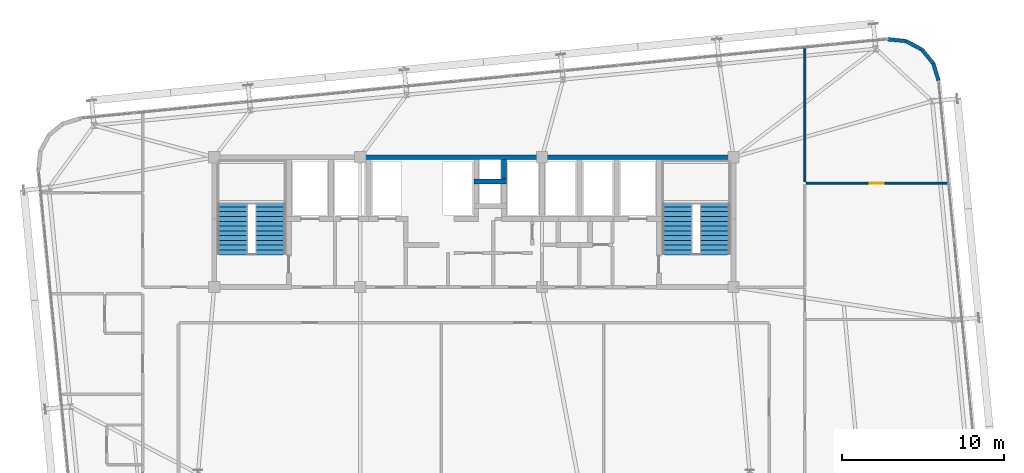
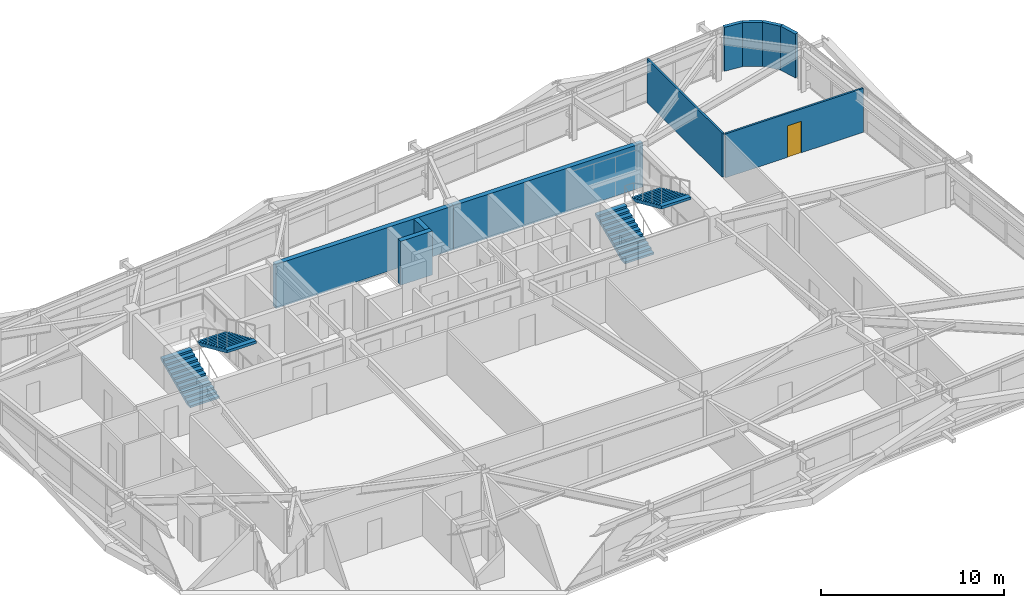
# One storey, part 50 of 53: 10 walls, 4 stair flights, 1 door, 1 opening, 2 elements without a shape of their own.
"""IFC4 building model written with IfcOpenShell, lengths in metres."""

from ifc_helpers import new_model, si_unit, direction, frame, frame_2d, origin, place, context, subcontext, project, spatial, polyline, rectangle, outline, extrude, source, transform, mapped, material, layer, layer_set, type_object, element, fill, aggregate, save


model = new_model("IFC4")

# Units and contexts
model_context = context("Model", 3, precision=1e-05, world=origin(), true_north=direction((0.0, 1.0)))
body_context = subcontext(model_context, "Body", "Model", "MODEL_VIEW")
ifc_project = project(units=[si_unit("LENGTHUNIT", "METRE"), si_unit("AREAUNIT", "SQUARE_METRE"), si_unit("VOLUMEUNIT", "CUBIC_METRE"), si_unit("PLANEANGLEUNIT", "RADIAN"), si_unit("MASSUNIT", "GRAM", prefix="KILO")], contexts=[model_context])

# Site, building, storey
site_placement = place(None, origin())
site = spatial("IfcSite", under=ifc_project, at=site_placement, CompositionType="ELEMENT")
building_placement = place(site_placement, origin())
building = spatial("IfcBuilding", under=site, at=building_placement, Name="Taldren Reach Tower", CompositionType="ELEMENT")
storey_placement = place(building_placement, frame((0.0, 0.0, 84.0)))
storey = spatial("IfcBuildingStorey", under=building, at=storey_placement, Name="L25", CompositionType="ELEMENT", Elevation=84.0)

# Walls
ifc_material_1 = material(Name="Pale Champagne Anodised Aluminium Cladding", Category="aluminium")
ifc_layer_1 = layer(ifc_material_1, 0.04, Name="Pale Champagne Anodised Aluminium Cladding", Category="aluminium")
ifc_material_2 = material(Name="Mineral Wool Acoustic Insulation", Category="insulation")
ifc_layer_2 = layer(ifc_material_2, 0.06, Name="Mineral Wool Acoustic Insulation", Category="insulation")
ifc_material_3 = material(Name="Steel Gr 350 (C350L0)", Category="steel")
ifc_layer_3 = layer(ifc_material_3, 0.12, Name="Steel Gr 350 (C350L0)", Category="steel")
ifc_layer_set_1 = layer_set([ifc_layer_1, ifc_layer_2, ifc_layer_3], Name="Pale Champagne Aluminium Cladding and Steel Gr 350 Stud Framing")
wall_type_1 = type_object("IfcWallType", Name="EW-CRN-220", PredefinedType="SOLIDWALL", material=ifc_layer_set_1)
shared_shape_1 = source(origin(), body_context, "Body", "SweptSolid", [
    extrude(rectangle(XDim=1.115966796875, YDim=0.219970703125, at=frame_2d((0.55810546875, 0.0))), origin(), (0.0, 0.0, 1.0), 2.929931640625),
])
for number, where, z_axis, x_axis, name in (
    (1, (63.6376953125, 36.6982421875, 0.0), (0.0, 0.0, 1.0), (-0.289855603468, 0.957070388811, 0.0), "Rounded-corner pale-metal facade wall L25-NE1"),
    (2, (62.606689453125, 38.629150390625, 0.0), (0.0, 0.0, 1.0), (-0.881655534635, 0.471893545461, 0.0), "Rounded-corner pale-metal facade wall L25-NE3"),
    (3, (61.622802734375, 39.15576171875, 0.0), (0.0, 0.0, 1.0), (-0.995142755671, 0.09844234778, 0.0), "Rounded-corner pale-metal facade wall L25-NE4"),
):
    element("IfcWall", number, at=place(storey_placement, frame(where, z_axis=z_axis, x_axis=x_axis)), inside=storey, type_object=wall_type_1, Name=name, PredefinedType="SOLIDWALL", context=body_context, shape_type="MappedRepresentation", body=[
        mapped(shared_shape_1, transform((0.0, 0.0, 0.0), scale=1.0)),
    ])
shared_shape_2 = source(origin(), body_context, "Body", "SweptSolid", [
    extrude(rectangle(XDim=1.11572265625, YDim=0.219970703125, at=frame_2d((0.557861328125, 0.0))), origin(), (0.0, 0.0, 1.0), 2.929931640625),
])
wall_1_placement = place(storey_placement, frame((63.314208984375, 37.766357421875, 0.0), z_axis=(0.0, 0.0, 1.0), x_axis=(-0.634095287989, 0.773254916409, 0.0)))
element("IfcWall", 4, at=wall_1_placement, inside=storey, type_object=wall_type_1, Name="Rounded-corner pale-metal facade wall L25-NE2", PredefinedType="SOLIDWALL", context=body_context, shape_type="MappedRepresentation", body=[
    mapped(shared_shape_2, transform((0.0, 0.0, 0.0), scale=1.0)),
])
ifc_material_4 = material(Name="Concrete S65 (65 MPa)", Category="concrete")
ifc_layer_4 = layer(ifc_material_4, 0.300048828125)
ifc_layer_set_2 = layer_set([ifc_layer_4], Name="Concrete S65 (65 MPa)")
wall_type_2 = type_object("IfcWallType", Name="IW-CORE-300", PredefinedType="SHEAR", material=ifc_layer_set_2)
shared_shape_3 = source(origin(), body_context, "Body", "SweptSolid", [
    extrude(rectangle(XDim=11.199951171875, YDim=0.300048828125, at=frame_2d((5.60009765625, 0.0))), origin(), (0.0, 0.0, 1.0), 2.929931640625),
])
wall_2_placement = place(storey_placement, frame((28.0, 32.0, 0.0), z_axis=(0.0, 0.0, 1.0), x_axis=(1.0, 0.0, 0.0)))
element("IfcWall", 5, at=wall_2_placement, inside=storey, type_object=wall_type_2, Name="Rear Core Shear Wall W-CORE-L25-NORTH2", PredefinedType="SHEAR", context=body_context, shape_type="MappedRepresentation", body=[
    mapped(shared_shape_3, transform((0.0, 0.0, 0.0), scale=1.0)),
])
shared_shape_4 = source(origin(), body_context, "Body", "SweptSolid", [
    extrude(rectangle(XDim=11.949951171875, YDim=0.300048828125, at=frame_2d((5.97509765625, 0.0))), origin(), (0.0, 0.0, 1.0), 2.929931640625),
])
wall_3_placement = place(storey_placement, frame((39.199951171875, 32.0, 0.0), z_axis=(0.0, 0.0, 1.0), x_axis=(1.0, 0.0, 0.0)))
element("IfcWall", 6, at=wall_3_placement, inside=storey, type_object=wall_type_2, Name="Rear Core Shear Wall W-CORE-L25-NORTH3", PredefinedType="SHEAR", context=body_context, shape_type="MappedRepresentation", body=[
    mapped(shared_shape_4, transform((0.0, 0.0, 0.0), scale=1.0)),
])
shared_shape_5 = source(origin(), body_context, "Body", "SweptSolid", [
    extrude(rectangle(XDim=2.0, YDim=0.300048828125, at=frame_2d((1.0, 0.0))), origin(), (0.0, 0.0, 1.0), 2.929931640625),
])
wall_4_placement = place(storey_placement, frame((35.0, 30.5, 0.0), z_axis=(0.0, 0.0, 1.0), x_axis=(1.0, 0.0, 0.0)))
element("IfcWall", 7, at=wall_4_placement, inside=storey, type_object=wall_type_2, Name="Rear Core Shear Wall W-INT-L25-016", PredefinedType="SHEAR", context=body_context, shape_type="MappedRepresentation", body=[
    mapped(shared_shape_5, transform((0.0, 0.0, 0.0), scale=1.0)),
])
shared_shape_6 = source(origin(), body_context, "Body", "SweptSolid", [
    extrude(rectangle(XDim=1.2001953125, YDim=0.300048828125, at=frame_2d((0.60009765625, 0.0))), origin(), (0.0, 0.0, 1.0), 2.929931640625),
])
wall_5_placement = place(storey_placement, frame((36.85009765625, 30.64990234375, 0.0), z_axis=(0.0, 0.0, 1.0), x_axis=(0.0, 1.0, 0.0)))
element("IfcWall", 8, at=wall_5_placement, inside=storey, type_object=wall_type_2, Name="Rear Core Shear Wall W-INT-L25-018", PredefinedType="SHEAR", context=body_context, shape_type="MappedRepresentation", body=[
    mapped(shared_shape_6, transform((0.0, 0.0, 0.0), scale=1.0)),
])

# Wall, opening, door
ifc_material_5 = material(Name="Insulated Residential Stud Partition", Category="gypsum")
ifc_layer_5 = layer(ifc_material_5, 0.1201171875)
ifc_layer_set_3 = layer_set([ifc_layer_5], Name="Insulated Residential Stud Partition")
wall_type_3 = type_object("IfcWallType", Name="IW-PART-120", PredefinedType="PARTITIONING", material=ifc_layer_set_3)
shared_shape_7 = source(origin(), body_context, "Body", "SweptSolid", [
    extrude(rectangle(XDim=8.692626953125, YDim=0.1201171875, at=frame_2d((4.34619140625, 0.0))), origin(), (0.0, 0.0, 1.0), 2.929931640625),
])
wall_6_placement = place(storey_placement, frame((55.47998046875, 30.39990234375, 0.0), z_axis=(0.0, 0.0, 1.0), x_axis=(1.0, 0.0, 0.0)))
wall_6 = element("IfcWall", 9, at=wall_6_placement, inside=storey, type_object=wall_type_3, Name="Interior Partition Wall W-INT-L25-121", PredefinedType="PARTITIONING", context=body_context, shape_type="MappedRepresentation", body=[
    mapped(shared_shape_7, transform((0.0, 0.0, 0.0), scale=1.0)),
])
shared_shape_8 = source(origin(), body_context, "Body", "SweptSolid", [
    extrude(rectangle(XDim=0.860107421875, YDim=2.10009765625, at=frame_2d((0.43017578125, 1.050048828125))), frame((0.0, 0.070068359375, 0.0), z_axis=(0.0, -1.0, 0.0), x_axis=(1.0, 0.0, 0.0)), (0.0, 0.0, 1.0), 0.14013671875),
])
opening_placement = place(wall_6_placement, frame((3.916259765625, 0.0, 0.0)))
opening = element("IfcOpeningElement", 10, at=opening_placement, cuts=wall_6, Name="Opening DI-086", PredefinedType="OPENING", context=body_context, shape_type="MappedRepresentation", body=[
    mapped(shared_shape_8, transform((0.0, 0.0, 0.0), scale=1.0)),
])
ifc_material_6 = material(Name="Timber Bathroom Door", Category="wood")
door_type = type_object("IfcDoorType", Name="ID-INT-086", OperationType="NOTDEFINED", PredefinedType="DOOR", material=ifc_material_6)
shared_shape_9 = source(origin(), body_context, "Body", "SweptSolid", [
    extrude(rectangle(XDim=0.860107421875, YDim=2.10009765625, at=frame_2d((0.43017578125, 1.050048828125))), frame((0.0, 0.02490234375, 0.0), z_axis=(0.0, -1.0, 0.0), x_axis=(1.0, 0.0, 0.0)), (0.0, 0.0, 1.0), 0.050048828125),
])
door_placement = place(opening_placement, origin())
door = element("IfcDoor", 11, at=door_placement, inside=storey, type_object=door_type, Name="Interior Door DR-L25-037", OperationType="SINGLE_SWING_RIGHT", OverallHeight=2.10009765625, OverallWidth=0.860107421875, PredefinedType="DOOR", context=body_context, shape_type="MappedRepresentation", body=[
    mapped(shared_shape_9, transform((0.0, 0.0, 0.0), scale=1.0)),
])
fill(opening, door)

# Wall
shared_shape_10 = source(origin(), body_context, "Body", "SweptSolid", [
    extrude(rectangle(XDim=8.20166015625, YDim=0.1201171875, at=frame_2d((4.100830078125, 0.0))), origin(), (0.0, 0.0, 1.0), 2.929931640625),
])
wall_7_placement = place(storey_placement, frame((55.39990234375, 30.47998046875, 0.0), z_axis=(0.0, 0.0, 1.0), x_axis=(0.0, 1.0, 0.0)))
element("IfcWall", 12, at=wall_7_placement, inside=storey, type_object=wall_type_3, Name="Interior Partition Wall W-INT-L25-123", PredefinedType="PARTITIONING", context=body_context, shape_type="MappedRepresentation", body=[
    mapped(shared_shape_10, transform((0.0, 0.0, 0.0), scale=1.0)),
])

# Stair, stair flights
ifc_material_7 = material(Name="Concrete S50 (50 MPa)", Category="concrete")
stair_type = type_object("IfcStairType", Name="ST-HT-315", PredefinedType="HALF_TURN_STAIR", material=ifc_material_7)
stair_1_placement = place(storey_placement, origin())
stair_1 = element("IfcStair", 13, at=stair_1_placement, inside=storey, type_object=stair_type, Name="Fire-isolated exit stair ST1 L25", PredefinedType="HALF_TURN_STAIR")
stair_flight_type = type_object("IfcStairFlightType", Name="SF-STR-315", PredefinedType="STRAIGHT", material=ifc_material_7)
stair_flight_1_placement = place(storey_placement, frame((20.139892578125, 25.989990234375, 0.0), z_axis=(0.0, 0.0, 1.0), x_axis=(0.0, 1.0, 0.0)))
stair_flight_1 = element("IfcStairFlight", 14, at=stair_flight_1_placement, type_object=stair_flight_type, Name="ST1 flight 1", NumberOfRisers=12, NumberOfTreads=11, PredefinedType="STRAIGHT", RiserHeight=0.13125, TreadLength=0.295, context=body_context, shape_type="SweptSolid", body=[
    extrude(outline(polyline([(0.0, 0.0), (0.0, 0.13134765625), (0.294921875, 0.13134765625), (0.294921875, 0.262451171875), (0.590087890625, 0.262451171875), (0.590087890625, 0.393798828125), (0.885009765625, 0.393798828125), (0.885009765625, 0.52490234375), (1.179931640625, 0.52490234375), (1.179931640625, 0.65625), (1.47509765625, 0.65625), (1.47509765625, 0.78759765625), (1.77001953125, 0.78759765625), (1.77001953125, 0.918701171875), (2.06494140625, 0.918701171875), (2.06494140625, 1.050048828125), (2.360107421875, 1.050048828125), (2.360107421875, 1.18115234375), (2.655029296875, 1.18115234375), (2.655029296875, 1.3125), (2.949951171875, 1.3125), (2.949951171875, 1.44384765625), (3.2451171875, 1.44384765625), (3.2451171875, 1.574951171875), (3.2451171875, 1.268798828125), (0.393310546875, 0.0), (0.0, 0.0)])), frame((0.0, 0.919921875, 0.0), z_axis=(0.0, -1.0, 0.0), x_axis=(1.0, 0.0, 0.0)), (0.0, 0.0, 1.0), 1.840087890625),
])
stair_flight_2_placement = place(storey_placement, frame((22.4599609375, 29.235107421875, 1.574951171875), z_axis=(0.0, 0.0, 1.0), x_axis=(0.0, -1.0, 0.0)))
stair_flight_2 = element("IfcStairFlight", 15, at=stair_flight_2_placement, type_object=stair_flight_type, Name="ST1 flight 2", NumberOfRisers=12, NumberOfTreads=11, PredefinedType="STRAIGHT", RiserHeight=0.13125, TreadLength=0.295, context=body_context, shape_type="SweptSolid", body=[
    extrude(outline(polyline([(0.0, 0.0), (0.0, 0.13134765625), (0.294921875, 0.13134765625), (0.294921875, 0.262451171875), (0.590087890625, 0.262451171875), (0.590087890625, 0.393798828125), (0.885009765625, 0.393798828125), (0.885009765625, 0.52490234375), (1.179931640625, 0.52490234375), (1.179931640625, 0.65625), (1.47509765625, 0.65625), (1.47509765625, 0.78759765625), (1.77001953125, 0.78759765625), (1.77001953125, 0.918701171875), (2.06494140625, 0.918701171875), (2.06494140625, 1.050048828125), (2.360107421875, 1.050048828125), (2.360107421875, 1.18115234375), (2.655029296875, 1.18115234375), (2.655029296875, 1.3125), (2.949951171875, 1.3125), (2.949951171875, 1.44384765625), (3.2451171875, 1.44384765625), (3.2451171875, 1.574951171875), (3.2451171875, 1.268798828125), (0.393310546875, 0.0), (0.0, 0.0)])), frame((0.0, 0.919921875, 0.0), z_axis=(0.0, -1.0, 0.0), x_axis=(1.0, 0.0, 0.0)), (0.0, 0.0, 1.0), 1.840087890625),
])
aggregate(stair_1, [stair_flight_1, stair_flight_2])

stair_2_placement = place(storey_placement, origin())
stair_2 = element("IfcStair", 16, at=stair_2_placement, inside=storey, type_object=stair_type, Name="Fire-isolated exit stair ST2 L25", PredefinedType="HALF_TURN_STAIR")
stair_flight_3_placement = place(storey_placement, frame((47.5400390625, 25.989990234375, 0.0), z_axis=(0.0, 0.0, 1.0), x_axis=(0.0, 1.0, 0.0)))
stair_flight_3 = element("IfcStairFlight", 17, at=stair_flight_3_placement, type_object=stair_flight_type, Name="ST2 flight 1", NumberOfRisers=12, NumberOfTreads=11, PredefinedType="STRAIGHT", RiserHeight=0.13125, TreadLength=0.295, context=body_context, shape_type="SweptSolid", body=[
    extrude(outline(polyline([(0.0, 0.0), (0.0, 0.13134765625), (0.294921875, 0.13134765625), (0.294921875, 0.262451171875), (0.590087890625, 0.262451171875), (0.590087890625, 0.393798828125), (0.885009765625, 0.393798828125), (0.885009765625, 0.52490234375), (1.179931640625, 0.52490234375), (1.179931640625, 0.65625), (1.47509765625, 0.65625), (1.47509765625, 0.78759765625), (1.77001953125, 0.78759765625), (1.77001953125, 0.918701171875), (2.06494140625, 0.918701171875), (2.06494140625, 1.050048828125), (2.360107421875, 1.050048828125), (2.360107421875, 1.18115234375), (2.655029296875, 1.18115234375), (2.655029296875, 1.3125), (2.949951171875, 1.3125), (2.949951171875, 1.44384765625), (3.2451171875, 1.44384765625), (3.2451171875, 1.574951171875), (3.2451171875, 1.268798828125), (0.393310546875, 0.0), (0.0, 0.0)])), frame((0.0, 0.919921875, 0.0), z_axis=(0.0, -1.0, 0.0), x_axis=(1.0, 0.0, 0.0)), (0.0, 0.0, 1.0), 1.840087890625),
])
stair_flight_4_placement = place(storey_placement, frame((49.860107421875, 29.235107421875, 1.574951171875), z_axis=(0.0, 0.0, 1.0), x_axis=(0.0, -1.0, 0.0)))
stair_flight_4 = element("IfcStairFlight", 18, at=stair_flight_4_placement, type_object=stair_flight_type, Name="ST2 flight 2", NumberOfRisers=12, NumberOfTreads=11, PredefinedType="STRAIGHT", RiserHeight=0.13125, TreadLength=0.295, context=body_context, shape_type="SweptSolid", body=[
    extrude(outline(polyline([(0.0, 0.0), (0.0, 0.13134765625), (0.294921875, 0.13134765625), (0.294921875, 0.262451171875), (0.590087890625, 0.262451171875), (0.590087890625, 0.393798828125), (0.885009765625, 0.393798828125), (0.885009765625, 0.52490234375), (1.179931640625, 0.52490234375), (1.179931640625, 0.65625), (1.47509765625, 0.65625), (1.47509765625, 0.78759765625), (1.77001953125, 0.78759765625), (1.77001953125, 0.918701171875), (2.06494140625, 0.918701171875), (2.06494140625, 1.050048828125), (2.360107421875, 1.050048828125), (2.360107421875, 1.18115234375), (2.655029296875, 1.18115234375), (2.655029296875, 1.3125), (2.949951171875, 1.3125), (2.949951171875, 1.44384765625), (3.2451171875, 1.44384765625), (3.2451171875, 1.574951171875), (3.2451171875, 1.268798828125), (0.393310546875, 0.0), (0.0, 0.0)])), frame((0.0, 0.919921875, 0.0), z_axis=(0.0, -1.0, 0.0), x_axis=(1.0, 0.0, 0.0)), (0.0, 0.0, 1.0), 1.840087890625),
])
aggregate(stair_2, [stair_flight_3, stair_flight_4])

save(model, "model.ifc")
